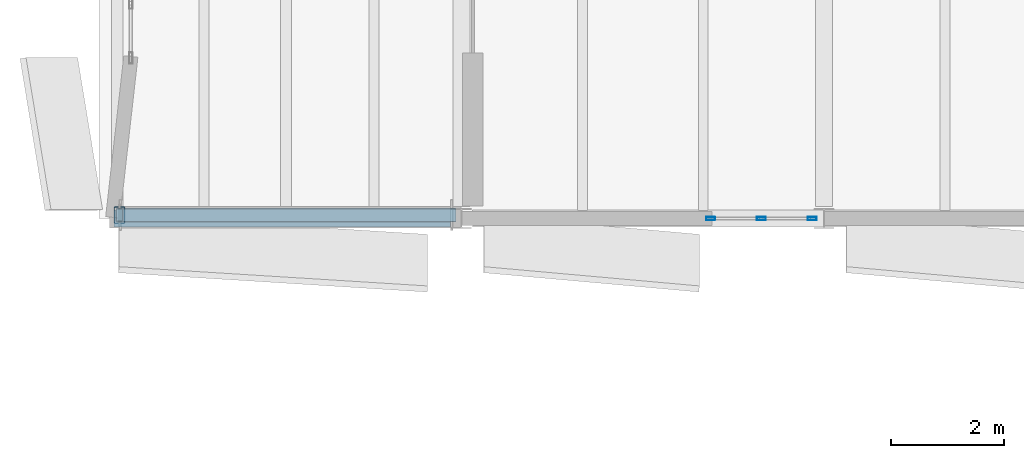
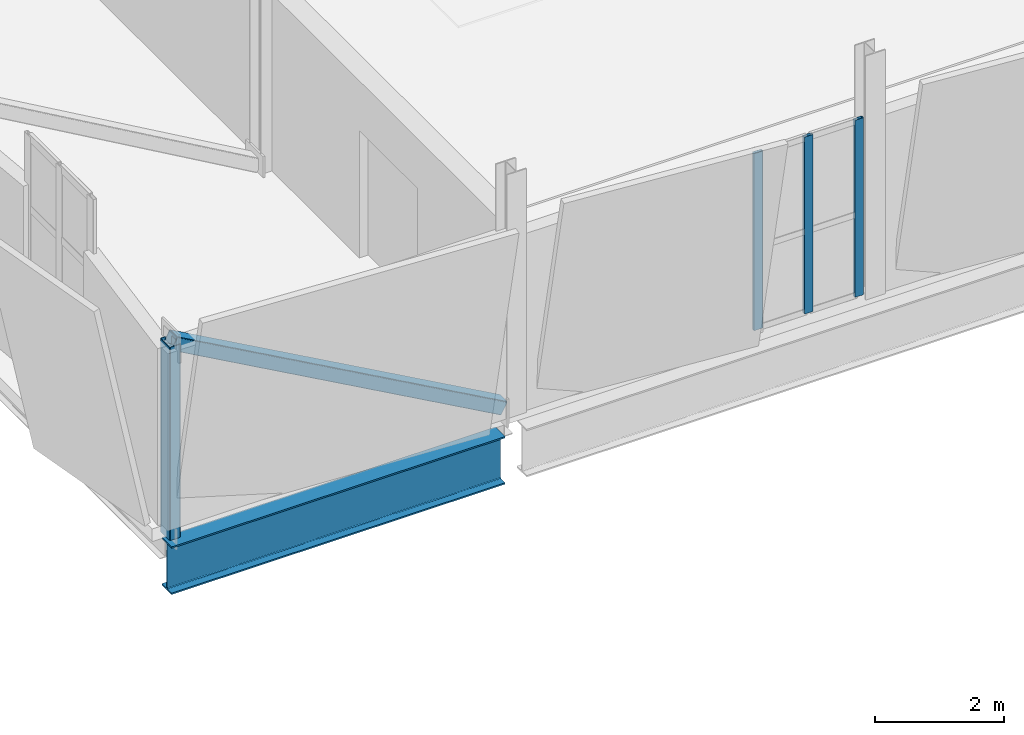
# One storey, part 17 of 172: 5 members, 1 beam, 1 element without a shape of its own.
"""IFC4 building model written with IfcOpenShell, lengths in metres."""

import ifcopenshell
import ifcopenshell.guid

model = None  # the IFC model being written
_history = None  # IfcOwnerHistory: only IFC2X3 demands one
_inside = {}  # id of a spatial element -> (the spatial element, [elements in it])
_under = {}  # id of a project, library or spatial element -> (it, [spatial elements below it])
_declared = {}  # id of a project -> (the project, [libraries it declares])
_typed = {}  # id of a type object -> (the type object, [elements of that type])
_made_of = {}  # id of a material, layer set ... -> (it, [elements and type objects made of it])


def new_model(schema):
    """Start an empty IFC model of exactly this schema.

    Asked for "IFC4X3", IfcOpenShell would pick the latest addendum, in which some entities
    have other attributes; the version numbers below select the first issue.
    IFC2X3 requires an IfcOwnerHistory on every rooted entity: one is made here for all.
    """
    global model, _history
    if schema == "IFC4X3":
        model = ifcopenshell.file(schema_version=(4, 3, 0, 0))
    else:
        model = ifcopenshell.file(schema=schema)
    _inside.clear()
    _under.clear()
    _declared.clear()
    _typed.clear()
    _made_of.clear()
    _history = None
    if model.schema == "IFC2X3":
        org = make("IfcOrganization", Name="unknown")
        user = make(
            "IfcPersonAndOrganization",
            ThePerson=make("IfcPerson", FamilyName="unknown"),
            TheOrganization=org,
        )
        app = make(
            "IfcApplication",
            ApplicationDeveloper=org,
            Version="unknown",
            ApplicationFullName="unknown",
            ApplicationIdentifier="unknown",
        )
        _history = make(
            "IfcOwnerHistory",
            OwningUser=user,
            OwningApplication=app,
            ChangeAction="ADDED",
            CreationDate=0,
        )
    return model


def make(cls, **values):
    """One entity of the class cls with the attributes given. An attribute that is None is left unset."""
    return model.create_entity(
        cls, **{name: value for name, value in values.items() if value is not None}
    )


def rooted(cls, **values):
    """An entity with a GlobalId (a new one), such as an element, a storey or a relation."""
    return make(cls, GlobalId=ifcopenshell.guid.new(), OwnerHistory=_history, **values)


def si_unit(unit_type, name, prefix=None):
    """IfcSIUnit, for example si_unit("LENGTHUNIT", "METRE", prefix="MILLI")."""
    return make("IfcSIUnit", UnitType=unit_type, Prefix=prefix, Name=name)


def assignment(units):
    """IfcUnitAssignment: the units of a project."""
    return None if units is None else make("IfcUnitAssignment", Units=units)


def point(xyz):
    """IfcCartesianPoint."""
    return None if xyz is None else make("IfcCartesianPoint", Coordinates=xyz)


def direction(xyz):
    """IfcDirection."""
    return None if xyz is None else make("IfcDirection", DirectionRatios=xyz)


def frame(location, z_axis=None, x_axis=None):
    """IfcAxis2Placement3D, a coordinate frame: its origin and axes. An axis left out is left unset."""
    return make(
        "IfcAxis2Placement3D",
        Location=point(location),
        Axis=direction(z_axis),
        RefDirection=direction(x_axis),
    )


def frame_2d(location, x_axis=None):
    """IfcAxis2Placement2D, a coordinate frame in the plane: its origin and x axis."""
    return make(
        "IfcAxis2Placement2D", Location=point(location), RefDirection=direction(x_axis)
    )


def origin():
    """The frame at (0, 0, 0) with its axes left unset."""
    return frame((0.0, 0.0, 0.0))


def origin_2d():
    """The frame at (0, 0) in the plane with its x axis left unset."""
    return frame_2d((0.0, 0.0))


def place(relative_to, where):
    """IfcLocalPlacement: puts the frame where relative to a parent placement (None: the world)."""
    return make(
        "IfcLocalPlacement", PlacementRelTo=relative_to, RelativePlacement=where
    )


def context(
    kind, dimensions, precision=None, world=None, true_north=None, identifier=None
):
    """IfcGeometricRepresentationContext, for example the 3D "Model" context."""
    return make(
        "IfcGeometricRepresentationContext",
        ContextIdentifier=identifier,
        ContextType=kind,
        CoordinateSpaceDimension=dimensions,
        Precision=precision,
        WorldCoordinateSystem=world,
        TrueNorth=true_north,
    )


def subcontext(parent, identifier, kind, view, scale=None):
    """IfcGeometricRepresentationSubContext, for example "Body" below "Model"."""
    return make(
        "IfcGeometricRepresentationSubContext",
        ContextIdentifier=identifier,
        ContextType=kind,
        ParentContext=parent,
        TargetScale=scale,
        TargetView=view,
    )


def project(units=None, contexts=None):
    """IfcProject with its units and contexts."""
    return rooted(
        "IfcProject",
        Name="project",
        RepresentationContexts=contexts,
        UnitsInContext=assignment(units),
    )


def spatial(cls, under=None, at=None, **own):
    """A site, building, storey or space (cls), placed at a placement, below another one or the project."""
    s = rooted(cls, ObjectPlacement=at, **own)
    if under is not None:
        _under.setdefault(under.id(), (under, []))[1].append(s)
    return s


def profile(cls, at=None, kind="AREA", **sizes):
    """A parametric profile (cls). Its sizes go by their IFC names, for example OverallWidth=200.0."""
    return make(cls, ProfileType=kind, Position=at, **sizes)


def hollow_rectangle(**sizes):
    """IfcRectangleHollowProfileDef."""
    return profile("IfcRectangleHollowProfileDef", **sizes)


def i_section(**sizes):
    """IfcIShapeProfileDef."""
    return profile("IfcIShapeProfileDef", **sizes)


def extrude(swept, where, along, depth):
    """IfcExtrudedAreaSolid: the profile swept, set in the frame where, extruded along a direction by depth."""
    return make(
        "IfcExtrudedAreaSolid",
        SweptArea=swept,
        Position=where,
        ExtrudedDirection=direction(along),
        Depth=depth,
    )


def shape(context_of_items, identifier, shape_type, items):
    """IfcShapeRepresentation: the items that make up one representation, for example the "Body"."""
    return make(
        "IfcShapeRepresentation",
        ContextOfItems=context_of_items,
        RepresentationIdentifier=identifier,
        RepresentationType=shape_type,
        Items=items,
    )


def material(Name=None, Category=None):
    """IfcMaterial."""
    return make("IfcMaterial", Name=Name, Category=Category)


def material_profile(
    of_material, cross_section, Name=None, Category=None, Priority=None
):
    """IfcMaterialProfile: a cross section and its material."""
    return make(
        "IfcMaterialProfile",
        Name=Name,
        Material=of_material,
        Profile=cross_section,
        Priority=Priority,
        Category=Category,
    )


def profile_set(profiles, Name=None, composite=None):
    """IfcMaterialProfileSet."""
    return make(
        "IfcMaterialProfileSet",
        Name=Name,
        MaterialProfiles=profiles,
        CompositeProfile=composite,
    )


def made_of(thing, what):
    """Note that an element or type object is made of a material, layer set ...; save() writes the relation."""
    if what is not None:
        _made_of.setdefault(what.id(), (what, []))[1].append(thing)
    return thing


def type_object(cls, material=None, **own):
    """A type object (cls), such as IfcWallType, which elements share."""
    return made_of(rooted(cls, **own), material)


def element(
    cls,
    number,
    at=None,
    inside=None,
    cuts=None,
    type_object=None,
    material=None,
    context=None,
    identifier="Body",
    shape_type=None,
    held_by="IfcProductDefinitionShape",
    body=None,
    shapes=None,
    **own,
):
    """One element of the class cls, such as IfcWall. Its Tag is "e" and its number.

    at: its placement. inside: the storey or other place that contains it. cuts: it is an
    opening in that element (IfcRelVoidsElement). A single representation is given by context,
    identifier, shape_type and body (its items); several are given by shapes. held_by: the class
    of the entity that holds the representations. save() writes the other relations.
    """
    e = rooted(cls, Tag="e%d" % number, ObjectPlacement=at, **own)
    if body is not None:
        shapes = [shape(context, identifier, shape_type, body)]
    if shapes is not None:
        e.Representation = make(held_by, Representations=shapes)
    if inside is not None:
        _inside.setdefault(inside.id(), (inside, []))[1].append(e)
    if cuts is not None:
        rooted(
            "IfcRelVoidsElement", RelatingBuildingElement=cuts, RelatedOpeningElement=e
        )
    if type_object is not None:
        _typed.setdefault(type_object.id(), (type_object, []))[1].append(e)
    return made_of(e, material)


def aggregate(whole, parts):
    """IfcRelAggregates: a whole, such as a stair, and the parts it consists of."""
    return rooted("IfcRelAggregates", RelatingObject=whole, RelatedObjects=parts)


def save(model, path):
    """Write the relations noted so far, then the file.

    IfcRelAggregates (storeys below a building ...), IfcRelContainedInSpatialStructure (elements
    in a storey), IfcRelDefinesByType, IfcRelAssociatesMaterial and IfcRelDeclares: one each for
    every whole, place, type object, material and project.
    """
    for whole, parts in _under.values():
        aggregate(whole, parts)
    for where, things in _inside.values():
        rooted(
            "IfcRelContainedInSpatialStructure",
            RelatedElements=things,
            RelatingStructure=where,
        )
    for kind, things in _typed.values():
        rooted("IfcRelDefinesByType", RelatedObjects=things, RelatingType=kind)
    for what, things in _made_of.values():
        rooted("IfcRelAssociatesMaterial", RelatedObjects=things, RelatingMaterial=what)
    for by, libraries in _declared.values():
        rooted("IfcRelDeclares", RelatingContext=by, RelatedDefinitions=libraries)
    model.write(path)


model = new_model("IFC4")

# Units and contexts
model_context = context("Model", 3, precision=1e-05, world=origin(), true_north=direction((0.0, 1.0)))
body_context = subcontext(model_context, "Body", "Model", "MODEL_VIEW")
ifc_project = project(units=[si_unit("LENGTHUNIT", "METRE"), si_unit("AREAUNIT", "SQUARE_METRE"), si_unit("VOLUMEUNIT", "CUBIC_METRE"), si_unit("PLANEANGLEUNIT", "RADIAN"), si_unit("MASSUNIT", "GRAM", prefix="KILO")], contexts=[model_context])

# Site, building, storey
site_placement = place(None, origin())
site = spatial("IfcSite", under=ifc_project, at=site_placement, CompositionType="ELEMENT")
building_placement = place(site_placement, origin())
building = spatial("IfcBuilding", under=site, at=building_placement, Name="Shengluoqiao Park Theatre", CompositionType="ELEMENT")
storey_placement = place(building_placement, frame((0.0, 0.0, 5.39990234375)))
storey = spatial("IfcBuildingStorey", under=building, at=storey_placement, Name="L01", CompositionType="ELEMENT", Elevation=5.39990234375)

# Curtain wall, members
ifc_material_1 = material(Name="Aluminium 6063-T6", Category="aluminium")
curtain_wall_type = type_object("IfcCurtainWallType", Name="ENV-CW-STUDIO", PredefinedType="NOTDEFINED", material=ifc_material_1)
curtain_wall_placement = place(storey_placement, origin())
curtain_wall = element("IfcCurtainWall", 1, at=curtain_wall_placement, inside=storey, type_object=curtain_wall_type, Name="L01 Curtain Wall CWX-L01-0016", PredefinedType="NOTDEFINED")
ifc_material_profile_1 = material_profile(ifc_material_1, hollow_rectangle(XDim=0.06005859375, YDim=0.159912109375, WallThickness=0.00390625, InnerFilletRadius=0.00390625, OuterFilletRadius=0.008056640625, at=origin_2d()), Name="ALU MULLION 160x60x4")
ifc_profile_set_1 = profile_set([ifc_material_profile_1], Name="Aluminium 6063-T6")
member_type_1 = type_object("IfcMemberType", Name="ENV-MUL-160", PredefinedType="MULLION", material=ifc_profile_set_1)
member_1_placement = place(storey_placement, frame((10.7958984375, 30.39990234375, 0.0), z_axis=(0.0, 0.0, 1.0), x_axis=(0.0, 1.0, 0.0)))
member_1 = element("IfcMember", 2, at=member_1_placement, type_object=member_type_1, Name="CW-02 mullion 1", PredefinedType="MULLION", context=body_context, shape_type="SweptSolid", body=[
    extrude(hollow_rectangle(XDim=0.06005859375, YDim=0.159912109375, WallThickness=0.00390625, InnerFilletRadius=0.00390625, OuterFilletRadius=0.008056640625, at=origin_2d()), origin(), (0.0, 0.0, 1.0), 3.338134765625),
])
member_2_placement = place(storey_placement, frame((11.693603515625, 30.39990234375, 0.0), z_axis=(0.0, 0.0, 1.0), x_axis=(0.0, 1.0, 0.0)))
member_2 = element("IfcMember", 3, at=member_2_placement, type_object=member_type_1, Name="CW-02 mullion 2", PredefinedType="MULLION", context=body_context, shape_type="SweptSolid", body=[
    extrude(hollow_rectangle(XDim=0.06005859375, YDim=0.159912109375, WallThickness=0.00390625, InnerFilletRadius=0.00390625, OuterFilletRadius=0.008056640625, at=origin_2d()), origin(), (0.0, 0.0, 1.0), 3.338134765625),
])
member_3_placement = place(storey_placement, frame((12.591064453125, 30.39990234375, 0.0), z_axis=(0.0, 0.0, 1.0), x_axis=(0.0, 1.0, 0.0)))
member_3 = element("IfcMember", 4, at=member_3_placement, type_object=member_type_1, Name="CW-02 mullion 3", PredefinedType="MULLION", context=body_context, shape_type="SweptSolid", body=[
    extrude(hollow_rectangle(XDim=0.06005859375, YDim=0.159912109375, WallThickness=0.00390625, InnerFilletRadius=0.00390625, OuterFilletRadius=0.008056640625, at=origin_2d()), origin(), (0.0, 0.0, 1.0), 3.338134765625),
])
aggregate(curtain_wall, [member_1, member_2, member_3])

# Beam
ifc_material_2 = material(Name="Steel Q390", Category="steel")
ifc_material_profile_2 = material_profile(ifc_material_2, i_section(OverallWidth=0.300048828125, OverallDepth=0.89990234375, WebThickness=0.01611328125, FlangeThickness=0.028076171875, FilletRadius=0.028076171875, at=origin_2d()), Name="HN 900x300x16x28")
ifc_profile_set_2 = profile_set([ifc_material_profile_2], Name="Steel Q390")
beam_type = type_object("IfcBeamType", Name="STR-BM-G-HN900", PredefinedType="BEAM", material=ifc_profile_set_2)
beam_placement = place(storey_placement, frame((0.260009765625, 30.39990234375, -0.789794921875), z_axis=(1.0, 0.0, 0.0), x_axis=(0.0, 1.0, 0.0)))
element("IfcBeam", 5, at=beam_placement, inside=storey, type_object=beam_type, Name="CT-V3-1 L01 Cantilever Overhang Chord", PredefinedType="BEAM", context=body_context, shape_type="SweptSolid", body=[
    extrude(i_section(OverallWidth=0.300048828125, OverallDepth=0.89990234375, WebThickness=0.01611328125, FlangeThickness=0.028076171875, FilletRadius=0.028076171875, at=origin_2d()), origin(), (0.0, 0.0, 1.0), 5.948486328125),
])

# Members
ifc_material_3 = material(Name="Steel Q355", Category="steel")
ifc_material_profile_3 = material_profile(ifc_material_3, hollow_rectangle(XDim=0.25, YDim=0.25, WallThickness=0.011962890625, InnerFilletRadius=0.011962890625, OuterFilletRadius=0.02392578125, at=origin_2d()), Name="RHS 250x250x12")
ifc_profile_set_3 = profile_set([ifc_material_profile_3], Name="Steel Q355")
member_type_2 = type_object("IfcMemberType", Name="STR-MEM-BRR-250", PredefinedType="BRACE", material=ifc_profile_set_3)
member_4_placement = place(storey_placement, frame((6.239990234375, 30.4599609375, 0.1201171875), z_axis=(-0.873309288152, 0.0, 0.487166180299), x_axis=(0.0, -1.0, 0.0)))
element("IfcMember", 6, at=member_4_placement, inside=storey, type_object=member_type_2, Name="CT-V3-1 L01 Cantilever Raking Strut", PredefinedType="BRACE", context=body_context, shape_type="SweptSolid", body=[
    extrude(hollow_rectangle(XDim=0.25, YDim=0.25, WallThickness=0.011962890625, InnerFilletRadius=0.011962890625, OuterFilletRadius=0.02392578125, at=origin_2d()), origin(), (0.0, 0.0, 1.0), 6.73291015625),
])
ifc_material_profile_4 = material_profile(ifc_material_2, hollow_rectangle(XDim=0.199951171875, YDim=0.300048828125, WallThickness=0.011962890625, InnerFilletRadius=0.011962890625, OuterFilletRadius=0.02392578125, at=origin_2d()), Name="RHS 300x200x12")
ifc_profile_set_4 = profile_set([ifc_material_profile_4], Name="Steel Q390")
member_type_3 = type_object("IfcMemberType", Name="STR-MEM-PTR-302", PredefinedType="POST", material=ifc_profile_set_4)
member_5_placement = place(storey_placement, frame((0.360107421875, 30.4599609375, -0.260009765625), z_axis=(0.0, 0.0, 1.0), x_axis=(1.0, 0.0, 0.0)))
element("IfcMember", 7, at=member_5_placement, inside=storey, type_object=member_type_3, Name="CT-V3-1 L01 Cantilever Tip Post", PredefinedType="POST", context=body_context, shape_type="SweptSolid", body=[
    extrude(hollow_rectangle(XDim=0.199951171875, YDim=0.300048828125, WallThickness=0.011962890625, InnerFilletRadius=0.011962890625, OuterFilletRadius=0.02392578125, at=origin_2d()), origin(), (0.0, 0.0, 1.0), 3.64013671875),
])

save(model, "model.ifc")
